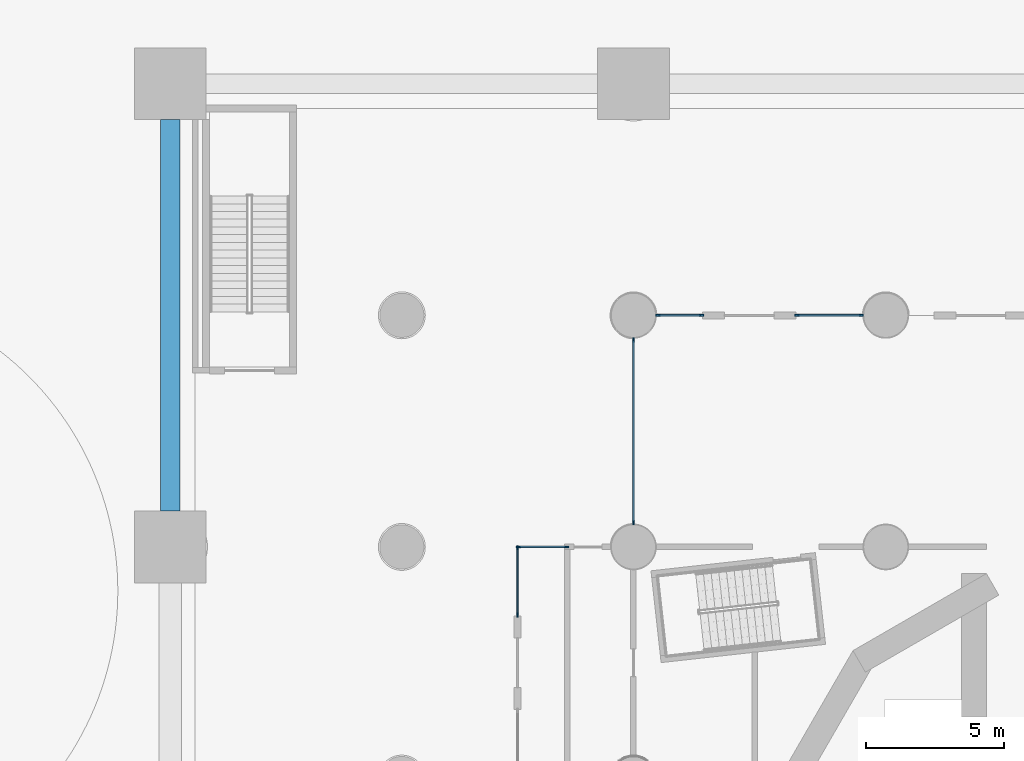
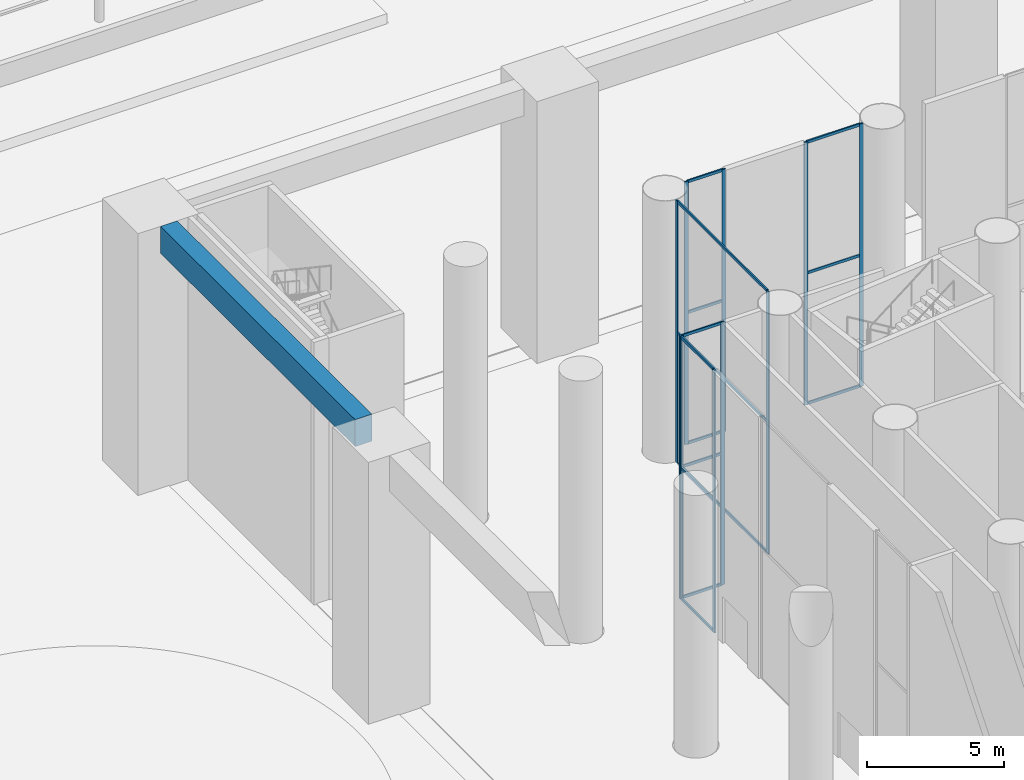
# One storey, part 6 of 52: 25 members, 1 beam, 5 elements without a shape of their own.
"""IFC4 building model written with IfcOpenShell, lengths in metres."""

from ifc_helpers import new_model, si_unit, direction, frame, origin, origin_2d, place, context, subcontext, project, spatial, rectangle, extrude, material, material_profile, profile_set, type_object, element, aggregate, save


model = new_model("IFC4")

# Units and contexts
model_context = context("Model", 3, precision=1e-05, world=origin(), true_north=direction((0.0, 1.0)))
body_context = subcontext(model_context, "Body", "Model", "MODEL_VIEW")
ifc_project = project(units=[si_unit("LENGTHUNIT", "METRE"), si_unit("AREAUNIT", "SQUARE_METRE"), si_unit("VOLUMEUNIT", "CUBIC_METRE"), si_unit("PLANEANGLEUNIT", "RADIAN"), si_unit("MASSUNIT", "GRAM", prefix="KILO")], contexts=[model_context])

# Site, building, storey
site_placement = place(None, origin())
site = spatial("IfcSite", under=ifc_project, at=site_placement, CompositionType="ELEMENT")
building_placement = place(site_placement, origin())
building = spatial("IfcBuilding", under=site, at=building_placement, Name="Cantera Rosa Tower", CompositionType="ELEMENT")
storey_placement = place(building_placement, origin())
storey = spatial("IfcBuildingStorey", under=building, at=storey_placement, Name="L00", CompositionType="ELEMENT", Elevation=0.0)

# Beam
ifc_material_1 = material(Name="Concrete C50/60", Category="concrete")
ifc_material_profile_1 = material_profile(ifc_material_1, rectangle(XDim=0.699951171875, YDim=1.199951171875, at=origin_2d()), Name="Edge girder 700x1200")
ifc_profile_set_1 = profile_set([ifc_material_profile_1], Name="Concrete C50/60")
beam_type = type_object("IfcBeamType", Name="Edge girder 700x1200", PredefinedType="BEAM", material=ifc_profile_set_1)
beam_placement = place(storey_placement, frame((-33.60009765625, 13.89990234375, 11.10009765625), z_axis=(0.0, 1.0, 0.0), x_axis=(-1.0, 0.0, 0.0)))
element("IfcBeam", 1, at=beam_placement, inside=storey, type_object=beam_type, Name="Edge girder L00-04", PredefinedType="BEAM", context=body_context, shape_type="SweptSolid", body=[
    extrude(rectangle(XDim=0.699951171875, YDim=1.199951171875, at=origin_2d()), origin(), (0.0, 0.0, 1.0), 14.2001953125),
])

# Curtain wall, members
ifc_material_2 = material(Name="Glass", Category="glass")
curtain_wall_type = type_object("IfcCurtainWallType", Name="Pavilion curtain wall", PredefinedType="NOTDEFINED", material=ifc_material_2)
curtain_wall_1_placement = place(storey_placement, origin())
curtain_wall_1 = element("IfcCurtainWall", 2, at=curtain_wall_1_placement, inside=storey, type_object=curtain_wall_type, Name="Pavilion curtain wall LOUNGE 8", PredefinedType="NOTDEFINED")
ifc_material_3 = material(Name="Aluminium", Category="aluminium")
ifc_material_profile_2 = material_profile(ifc_material_3, rectangle(XDim=0.06005859375, YDim=0.159912109375, at=origin_2d()), Name="Mullion pavilion 60x160")
ifc_profile_set_2 = profile_set([ifc_material_profile_2], Name="Aluminium")
member_type_1 = type_object("IfcMemberType", Name="Mullion pavilion 60x160", PredefinedType="MULLION", material=ifc_profile_set_2)
member_1_placement = place(storey_placement, frame((-19.22998046875, 12.60009765625, 0.0), z_axis=(0.0, 0.0, 1.0), x_axis=(0.0, -1.0, 0.0)))
member_1 = element("IfcMember", 3, at=member_1_placement, type_object=member_type_1, Name="CW6 mullion 1", PredefinedType="MULLION", context=body_context, shape_type="SweptSolid", body=[
    extrude(rectangle(XDim=0.06005859375, YDim=0.159912109375, at=origin_2d()), origin(), (0.0, 0.0, 1.0), 11.699951171875),
])
member_2_placement = place(storey_placement, frame((-20.969970703125, 12.60009765625, 0.0), z_axis=(0.0, 0.0, 1.0), x_axis=(0.0, -1.0, 0.0)))
member_2 = element("IfcMember", 4, at=member_2_placement, type_object=member_type_1, Name="CW6 mullion 2", PredefinedType="MULLION", context=body_context, shape_type="SweptSolid", body=[
    extrude(rectangle(XDim=0.06005859375, YDim=0.159912109375, at=origin_2d()), origin(), (0.0, 0.0, 1.0), 11.699951171875),
])

curtain_wall_2_placement = place(storey_placement, origin())
curtain_wall_2 = element("IfcCurtainWall", 5, at=curtain_wall_2_placement, inside=storey, type_object=curtain_wall_type, Name="Pavilion curtain wall LOUNGE 9", PredefinedType="NOTDEFINED")
member_3_placement = place(storey_placement, frame((-21.0, 12.570068359375, 0.0), z_axis=(0.0, 0.0, 1.0), x_axis=(1.0, 0.0, 0.0)))
member_3 = element("IfcMember", 6, at=member_3_placement, type_object=member_type_1, Name="CW6 mullion 1", PredefinedType="MULLION", context=body_context, shape_type="SweptSolid", body=[
    extrude(rectangle(XDim=0.06005859375, YDim=0.159912109375, at=origin_2d()), origin(), (0.0, 0.0, 1.0), 11.699951171875),
])
member_4_placement = place(storey_placement, frame((-21.0, 10.1298828125, 0.0), z_axis=(0.0, 0.0, 1.0), x_axis=(1.0, 0.0, 0.0)))
member_4 = element("IfcMember", 7, at=member_4_placement, type_object=member_type_1, Name="CW6 mullion 2", PredefinedType="MULLION", context=body_context, shape_type="SweptSolid", body=[
    extrude(rectangle(XDim=0.06005859375, YDim=0.159912109375, at=origin_2d()), origin(), (0.0, 0.0, 1.0), 11.699951171875),
])

curtain_wall_3_placement = place(storey_placement, origin())
curtain_wall_3 = element("IfcCurtainWall", 8, at=curtain_wall_3_placement, inside=storey, type_object=curtain_wall_type, Name="Pavilion curtain wall RECEP 10", PredefinedType="NOTDEFINED")
member_5_placement = place(storey_placement, frame((-16.800048828125, 13.489990234375, 0.0), z_axis=(0.0, 0.0, 1.0), x_axis=(-1.0, 0.0, 0.0)))
member_5 = element("IfcMember", 9, at=member_5_placement, type_object=member_type_1, Name="CW6 mullion 1", PredefinedType="MULLION", context=body_context, shape_type="SweptSolid", body=[
    extrude(rectangle(XDim=0.06005859375, YDim=0.159912109375, at=origin_2d()), origin(), (0.0, 0.0, 1.0), 11.699951171875),
])
member_6_placement = place(storey_placement, frame((-16.800048828125, 20.110107421875, 0.0), z_axis=(0.0, 0.0, 1.0), x_axis=(-1.0, 0.0, 0.0)))
member_6 = element("IfcMember", 10, at=member_6_placement, type_object=member_type_1, Name="CW6 mullion 2", PredefinedType="MULLION", context=body_context, shape_type="SweptSolid", body=[
    extrude(rectangle(XDim=0.06005859375, YDim=0.159912109375, at=origin_2d()), origin(), (0.0, 0.0, 1.0), 11.699951171875),
])

curtain_wall_4_placement = place(storey_placement, origin())
curtain_wall_4 = element("IfcCurtainWall", 11, at=curtain_wall_4_placement, inside=storey, type_object=curtain_wall_type, Name="Pavilion curtain wall RECEP 11", PredefinedType="NOTDEFINED")
member_7_placement = place(storey_placement, frame((-15.909912109375, 21.0, 0.0), z_axis=(0.0, 0.0, 1.0), x_axis=(0.0, 1.0, 0.0)))
member_7 = element("IfcMember", 12, at=member_7_placement, type_object=member_type_1, Name="CW6 mullion 1", PredefinedType="MULLION", context=body_context, shape_type="SweptSolid", body=[
    extrude(rectangle(XDim=0.06005859375, YDim=0.159912109375, at=origin_2d()), origin(), (0.0, 0.0, 1.0), 11.699951171875),
])
member_8_placement = place(storey_placement, frame((-14.330078125, 21.0, 0.0), z_axis=(0.0, 0.0, 1.0), x_axis=(0.0, 1.0, 0.0)))
member_8 = element("IfcMember", 13, at=member_8_placement, type_object=member_type_1, Name="CW6 mullion 2", PredefinedType="MULLION", context=body_context, shape_type="SweptSolid", body=[
    extrude(rectangle(XDim=0.06005859375, YDim=0.159912109375, at=origin_2d()), origin(), (0.0, 0.0, 1.0), 11.699951171875),
])

curtain_wall_5_placement = place(storey_placement, origin())
curtain_wall_5 = element("IfcCurtainWall", 14, at=curtain_wall_5_placement, inside=storey, type_object=curtain_wall_type, Name="Pavilion curtain wall RECEP 11", PredefinedType="NOTDEFINED")
member_9_placement = place(storey_placement, frame((-10.8701171875, 21.0, 0.0), z_axis=(0.0, 0.0, 1.0), x_axis=(0.0, 1.0, 0.0)))
member_9 = element("IfcMember", 15, at=member_9_placement, type_object=member_type_1, Name="CW6 mullion 1", PredefinedType="MULLION", context=body_context, shape_type="SweptSolid", body=[
    extrude(rectangle(XDim=0.06005859375, YDim=0.159912109375, at=origin_2d()), origin(), (0.0, 0.0, 1.0), 11.699951171875),
])
member_10_placement = place(storey_placement, frame((-8.5400390625, 21.0, 0.0), z_axis=(0.0, 0.0, 1.0), x_axis=(0.0, 1.0, 0.0)))
member_10 = element("IfcMember", 16, at=member_10_placement, type_object=member_type_1, Name="CW6 mullion 2", PredefinedType="MULLION", context=body_context, shape_type="SweptSolid", body=[
    extrude(rectangle(XDim=0.06005859375, YDim=0.159912109375, at=origin_2d()), origin(), (0.0, 0.0, 1.0), 11.699951171875),
])

# Member
ifc_material_4 = material(Name="Aluminium", Category="aluminium")
ifc_material_profile_3 = material_profile(ifc_material_4, rectangle(XDim=0.06005859375, YDim=0.1201171875, at=origin_2d()), Name="Transom pavilion 60x120")
ifc_profile_set_3 = profile_set([ifc_material_profile_3], Name="Aluminium")
member_type_2 = type_object("IfcMemberType", Name="Transom pavilion 60x120", PredefinedType="USERDEFINED", material=ifc_profile_set_3)
member_11_placement = place(storey_placement, frame((-19.260009765625, 12.60009765625, 0.030029296875), z_axis=(-1.0, 0.0, 0.0), x_axis=(0.0, -1.0, 0.0)))
member_11 = element("IfcMember", 17, at=member_11_placement, type_object=member_type_2, Name="CW6 transom 1.1", ObjectType="TRANSOM", PredefinedType="USERDEFINED", context=body_context, shape_type="SweptSolid", body=[
    extrude(rectangle(XDim=0.06005859375, YDim=0.1201171875, at=origin_2d()), origin(), (0.0, 0.0, 1.0), 1.679931640625),
])

member_12_placement = place(storey_placement, frame((-19.260009765625, 12.60009765625, 5.85009765625), z_axis=(-1.0, 0.0, 0.0), x_axis=(0.0, -1.0, 0.0)))
member_12 = element("IfcMember", 18, at=member_12_placement, type_object=member_type_2, Name="CW6 transom 1.2", ObjectType="TRANSOM", PredefinedType="USERDEFINED", context=body_context, shape_type="SweptSolid", body=[
    extrude(rectangle(XDim=0.06005859375, YDim=0.1201171875, at=origin_2d()), origin(), (0.0, 0.0, 1.0), 1.679931640625),
])

member_13_placement = place(storey_placement, frame((-19.260009765625, 12.60009765625, 11.669921875), z_axis=(-1.0, 0.0, 0.0), x_axis=(0.0, -1.0, 0.0)))
member_13 = element("IfcMember", 19, at=member_13_placement, type_object=member_type_2, Name="CW6 transom 1.3", ObjectType="TRANSOM", PredefinedType="USERDEFINED", context=body_context, shape_type="SweptSolid", body=[
    extrude(rectangle(XDim=0.06005859375, YDim=0.1201171875, at=origin_2d()), origin(), (0.0, 0.0, 1.0), 1.679931640625),
])

aggregate(curtain_wall_1, [member_1, member_2, member_11, member_12, member_13])

member_14_placement = place(storey_placement, frame((-21.0, 12.5400390625, 0.030029296875), z_axis=(0.0, -1.0, 0.0), x_axis=(1.0, 0.0, 0.0)))
member_14 = element("IfcMember", 20, at=member_14_placement, type_object=member_type_2, Name="CW6 transom 1.1", ObjectType="TRANSOM", PredefinedType="USERDEFINED", context=body_context, shape_type="SweptSolid", body=[
    extrude(rectangle(XDim=0.06005859375, YDim=0.1201171875, at=origin_2d()), origin(), (0.0, 0.0, 1.0), 2.380126953125),
])

member_15_placement = place(storey_placement, frame((-21.0, 12.5400390625, 5.85009765625), z_axis=(0.0, -1.0, 0.0), x_axis=(1.0, 0.0, 0.0)))
member_15 = element("IfcMember", 21, at=member_15_placement, type_object=member_type_2, Name="CW6 transom 1.2", ObjectType="TRANSOM", PredefinedType="USERDEFINED", context=body_context, shape_type="SweptSolid", body=[
    extrude(rectangle(XDim=0.06005859375, YDim=0.1201171875, at=origin_2d()), origin(), (0.0, 0.0, 1.0), 2.380126953125),
])

member_16_placement = place(storey_placement, frame((-21.0, 12.5400390625, 11.669921875), z_axis=(0.0, -1.0, 0.0), x_axis=(1.0, 0.0, 0.0)))
member_16 = element("IfcMember", 22, at=member_16_placement, type_object=member_type_2, Name="CW6 transom 1.3", ObjectType="TRANSOM", PredefinedType="USERDEFINED", context=body_context, shape_type="SweptSolid", body=[
    extrude(rectangle(XDim=0.06005859375, YDim=0.1201171875, at=origin_2d()), origin(), (0.0, 0.0, 1.0), 2.380126953125),
])

aggregate(curtain_wall_2, [member_3, member_4, member_14, member_15, member_16])

member_17_placement = place(storey_placement, frame((-16.800048828125, 13.52001953125, 0.030029296875), z_axis=(0.0, 1.0, 0.0), x_axis=(-1.0, 0.0, 0.0)))
member_17 = element("IfcMember", 23, at=member_17_placement, type_object=member_type_2, Name="CW6 transom 1.1", ObjectType="TRANSOM", PredefinedType="USERDEFINED", context=body_context, shape_type="SweptSolid", body=[
    extrude(rectangle(XDim=0.06005859375, YDim=0.1201171875, at=origin_2d()), origin(), (0.0, 0.0, 1.0), 6.56005859375),
])

member_18_placement = place(storey_placement, frame((-16.800048828125, 13.52001953125, 5.85009765625), z_axis=(0.0, 1.0, 0.0), x_axis=(-1.0, 0.0, 0.0)))
member_18 = element("IfcMember", 24, at=member_18_placement, type_object=member_type_2, Name="CW6 transom 1.2", ObjectType="TRANSOM", PredefinedType="USERDEFINED", context=body_context, shape_type="SweptSolid", body=[
    extrude(rectangle(XDim=0.06005859375, YDim=0.1201171875, at=origin_2d()), origin(), (0.0, 0.0, 1.0), 6.56005859375),
])

member_19_placement = place(storey_placement, frame((-16.800048828125, 13.52001953125, 11.669921875), z_axis=(0.0, 1.0, 0.0), x_axis=(-1.0, 0.0, 0.0)))
member_19 = element("IfcMember", 25, at=member_19_placement, type_object=member_type_2, Name="CW6 transom 1.3", ObjectType="TRANSOM", PredefinedType="USERDEFINED", context=body_context, shape_type="SweptSolid", body=[
    extrude(rectangle(XDim=0.06005859375, YDim=0.1201171875, at=origin_2d()), origin(), (0.0, 0.0, 1.0), 6.56005859375),
])

aggregate(curtain_wall_3, [member_5, member_6, member_17, member_18, member_19])

member_20_placement = place(storey_placement, frame((-15.8798828125, 21.0, 0.030029296875), z_axis=(1.0, 0.0, 0.0), x_axis=(0.0, 1.0, 0.0)))
member_20 = element("IfcMember", 26, at=member_20_placement, type_object=member_type_2, Name="CW6 transom 1.1", ObjectType="TRANSOM", PredefinedType="USERDEFINED", context=body_context, shape_type="SweptSolid", body=[
    extrude(rectangle(XDim=0.06005859375, YDim=0.1201171875, at=origin_2d()), origin(), (0.0, 0.0, 1.0), 1.519775390625),
])

member_21_placement = place(storey_placement, frame((-15.8798828125, 21.0, 5.85009765625), z_axis=(1.0, 0.0, 0.0), x_axis=(0.0, 1.0, 0.0)))
member_21 = element("IfcMember", 27, at=member_21_placement, type_object=member_type_2, Name="CW6 transom 1.2", ObjectType="TRANSOM", PredefinedType="USERDEFINED", context=body_context, shape_type="SweptSolid", body=[
    extrude(rectangle(XDim=0.06005859375, YDim=0.1201171875, at=origin_2d()), origin(), (0.0, 0.0, 1.0), 1.519775390625),
])

member_22_placement = place(storey_placement, frame((-15.8798828125, 21.0, 11.669921875), z_axis=(1.0, 0.0, 0.0), x_axis=(0.0, 1.0, 0.0)))
member_22 = element("IfcMember", 28, at=member_22_placement, type_object=member_type_2, Name="CW6 transom 1.3", ObjectType="TRANSOM", PredefinedType="USERDEFINED", context=body_context, shape_type="SweptSolid", body=[
    extrude(rectangle(XDim=0.06005859375, YDim=0.1201171875, at=origin_2d()), origin(), (0.0, 0.0, 1.0), 1.519775390625),
])

aggregate(curtain_wall_4, [member_7, member_8, member_20, member_21, member_22])

member_23_placement = place(storey_placement, frame((-10.840087890625, 21.0, 0.030029296875), z_axis=(1.0, 0.0, 0.0), x_axis=(0.0, 1.0, 0.0)))
member_23 = element("IfcMember", 29, at=member_23_placement, type_object=member_type_2, Name="CW6 transom 1.1", ObjectType="TRANSOM", PredefinedType="USERDEFINED", context=body_context, shape_type="SweptSolid", body=[
    extrude(rectangle(XDim=0.06005859375, YDim=0.1201171875, at=origin_2d()), origin(), (0.0, 0.0, 1.0), 2.27001953125),
])

member_24_placement = place(storey_placement, frame((-10.840087890625, 21.0, 5.85009765625), z_axis=(1.0, 0.0, 0.0), x_axis=(0.0, 1.0, 0.0)))
member_24 = element("IfcMember", 30, at=member_24_placement, type_object=member_type_2, Name="CW6 transom 1.2", ObjectType="TRANSOM", PredefinedType="USERDEFINED", context=body_context, shape_type="SweptSolid", body=[
    extrude(rectangle(XDim=0.06005859375, YDim=0.1201171875, at=origin_2d()), origin(), (0.0, 0.0, 1.0), 2.27001953125),
])

member_25_placement = place(storey_placement, frame((-10.840087890625, 21.0, 11.669921875), z_axis=(1.0, 0.0, 0.0), x_axis=(0.0, 1.0, 0.0)))
member_25 = element("IfcMember", 31, at=member_25_placement, type_object=member_type_2, Name="CW6 transom 1.3", ObjectType="TRANSOM", PredefinedType="USERDEFINED", context=body_context, shape_type="SweptSolid", body=[
    extrude(rectangle(XDim=0.06005859375, YDim=0.1201171875, at=origin_2d()), origin(), (0.0, 0.0, 1.0), 2.27001953125),
])

aggregate(curtain_wall_5, [member_9, member_10, member_23, member_24, member_25])

save(model, "model.ifc")
